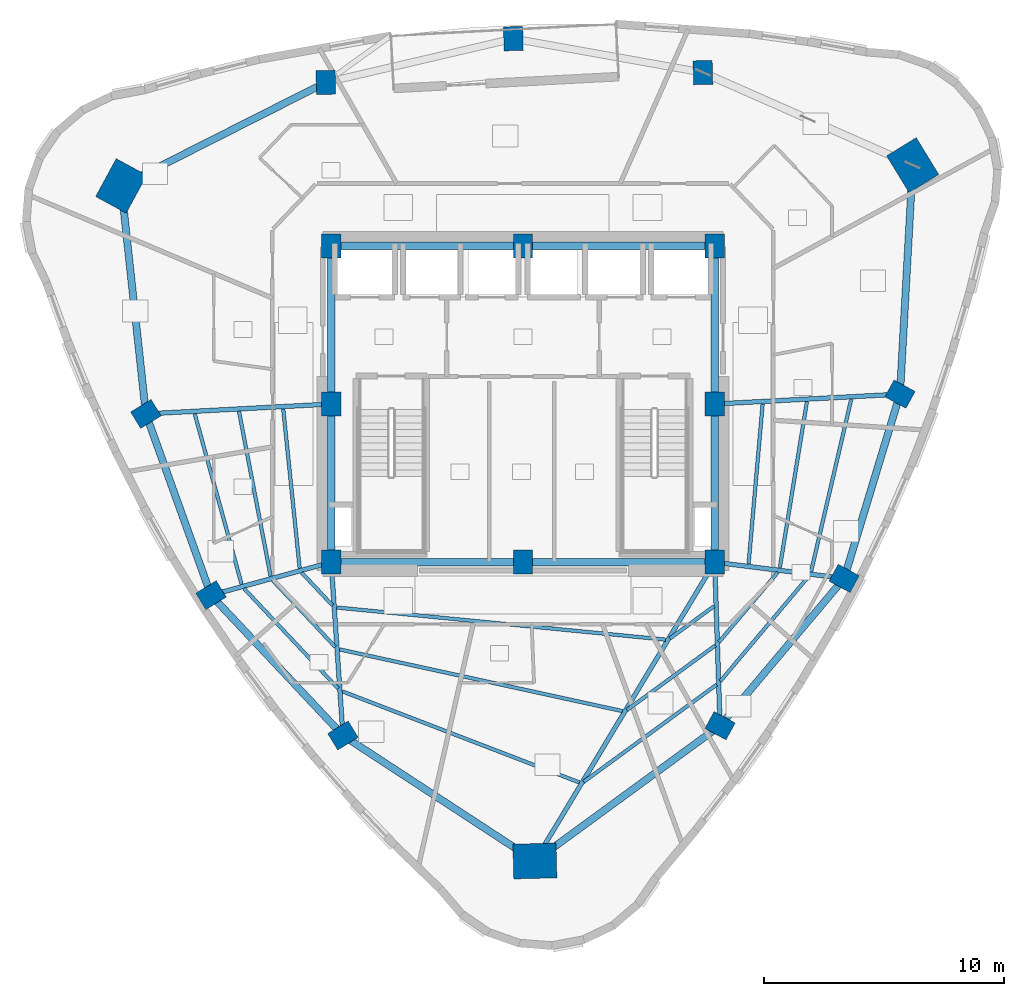
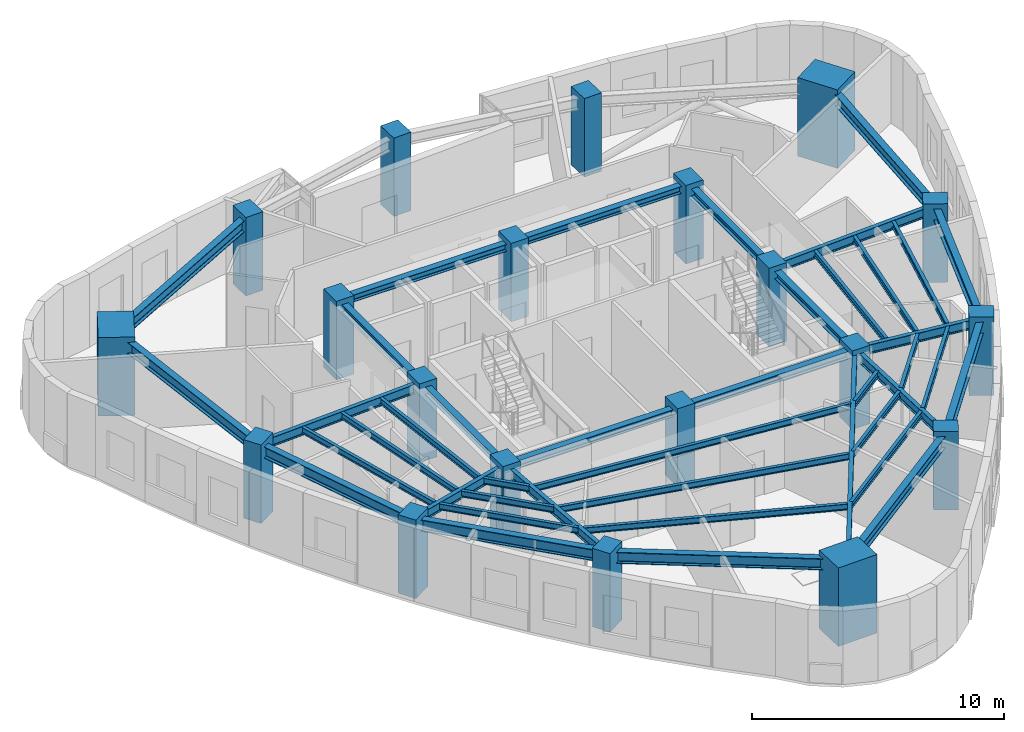
# One storey, part 1 of 12: 41 beams, 20 columns.
"""IFC4 building model written with IfcOpenShell, lengths in metres."""

import ifcopenshell
import ifcopenshell.guid

model = None  # the IFC model being written
_history = None  # IfcOwnerHistory: only IFC2X3 demands one
_inside = {}  # id of a spatial element -> (the spatial element, [elements in it])
_under = {}  # id of a project, library or spatial element -> (it, [spatial elements below it])
_declared = {}  # id of a project -> (the project, [libraries it declares])
_typed = {}  # id of a type object -> (the type object, [elements of that type])
_made_of = {}  # id of a material, layer set ... -> (it, [elements and type objects made of it])


def new_model(schema):
    """Start an empty IFC model of exactly this schema.

    Asked for "IFC4X3", IfcOpenShell would pick the latest addendum, in which some entities
    have other attributes; the version numbers below select the first issue.
    IFC2X3 requires an IfcOwnerHistory on every rooted entity: one is made here for all.
    """
    global model, _history
    if schema == "IFC4X3":
        model = ifcopenshell.file(schema_version=(4, 3, 0, 0))
    else:
        model = ifcopenshell.file(schema=schema)
    _inside.clear()
    _under.clear()
    _declared.clear()
    _typed.clear()
    _made_of.clear()
    _history = None
    if model.schema == "IFC2X3":
        org = make("IfcOrganization", Name="unknown")
        user = make(
            "IfcPersonAndOrganization",
            ThePerson=make("IfcPerson", FamilyName="unknown"),
            TheOrganization=org,
        )
        app = make(
            "IfcApplication",
            ApplicationDeveloper=org,
            Version="unknown",
            ApplicationFullName="unknown",
            ApplicationIdentifier="unknown",
        )
        _history = make(
            "IfcOwnerHistory",
            OwningUser=user,
            OwningApplication=app,
            ChangeAction="ADDED",
            CreationDate=0,
        )
    return model


def make(cls, **values):
    """One entity of the class cls with the attributes given. An attribute that is None is left unset."""
    return model.create_entity(
        cls, **{name: value for name, value in values.items() if value is not None}
    )


def rooted(cls, **values):
    """An entity with a GlobalId (a new one), such as an element, a storey or a relation."""
    return make(cls, GlobalId=ifcopenshell.guid.new(), OwnerHistory=_history, **values)


def si_unit(unit_type, name, prefix=None):
    """IfcSIUnit, for example si_unit("LENGTHUNIT", "METRE", prefix="MILLI")."""
    return make("IfcSIUnit", UnitType=unit_type, Prefix=prefix, Name=name)


def assignment(units):
    """IfcUnitAssignment: the units of a project."""
    return None if units is None else make("IfcUnitAssignment", Units=units)


def point(xyz):
    """IfcCartesianPoint."""
    return None if xyz is None else make("IfcCartesianPoint", Coordinates=xyz)


def direction(xyz):
    """IfcDirection."""
    return None if xyz is None else make("IfcDirection", DirectionRatios=xyz)


def frame(location, z_axis=None, x_axis=None):
    """IfcAxis2Placement3D, a coordinate frame: its origin and axes. An axis left out is left unset."""
    return make(
        "IfcAxis2Placement3D",
        Location=point(location),
        Axis=direction(z_axis),
        RefDirection=direction(x_axis),
    )


def frame_2d(location, x_axis=None):
    """IfcAxis2Placement2D, a coordinate frame in the plane: its origin and x axis."""
    return make(
        "IfcAxis2Placement2D", Location=point(location), RefDirection=direction(x_axis)
    )


def origin():
    """The frame at (0, 0, 0) with its axes left unset."""
    return frame((0.0, 0.0, 0.0))


def origin_2d():
    """The frame at (0, 0) in the plane with its x axis left unset."""
    return frame_2d((0.0, 0.0))


def place(relative_to, where):
    """IfcLocalPlacement: puts the frame where relative to a parent placement (None: the world)."""
    return make(
        "IfcLocalPlacement", PlacementRelTo=relative_to, RelativePlacement=where
    )


def context(
    kind, dimensions, precision=None, world=None, true_north=None, identifier=None
):
    """IfcGeometricRepresentationContext, for example the 3D "Model" context."""
    return make(
        "IfcGeometricRepresentationContext",
        ContextIdentifier=identifier,
        ContextType=kind,
        CoordinateSpaceDimension=dimensions,
        Precision=precision,
        WorldCoordinateSystem=world,
        TrueNorth=true_north,
    )


def subcontext(parent, identifier, kind, view, scale=None):
    """IfcGeometricRepresentationSubContext, for example "Body" below "Model"."""
    return make(
        "IfcGeometricRepresentationSubContext",
        ContextIdentifier=identifier,
        ContextType=kind,
        ParentContext=parent,
        TargetScale=scale,
        TargetView=view,
    )


def project(units=None, contexts=None):
    """IfcProject with its units and contexts."""
    return rooted(
        "IfcProject",
        Name="project",
        RepresentationContexts=contexts,
        UnitsInContext=assignment(units),
    )


def spatial(cls, under=None, at=None, **own):
    """A site, building, storey or space (cls), placed at a placement, below another one or the project."""
    s = rooted(cls, ObjectPlacement=at, **own)
    if under is not None:
        _under.setdefault(under.id(), (under, []))[1].append(s)
    return s


def profile(cls, at=None, kind="AREA", **sizes):
    """A parametric profile (cls). Its sizes go by their IFC names, for example OverallWidth=200.0."""
    return make(cls, ProfileType=kind, Position=at, **sizes)


def rectangle(**sizes):
    """IfcRectangleProfileDef."""
    return profile("IfcRectangleProfileDef", **sizes)


def i_section(**sizes):
    """IfcIShapeProfileDef."""
    return profile("IfcIShapeProfileDef", **sizes)


def extrude(swept, where, along, depth):
    """IfcExtrudedAreaSolid: the profile swept, set in the frame where, extruded along a direction by depth."""
    return make(
        "IfcExtrudedAreaSolid",
        SweptArea=swept,
        Position=where,
        ExtrudedDirection=direction(along),
        Depth=depth,
    )


def shape(context_of_items, identifier, shape_type, items):
    """IfcShapeRepresentation: the items that make up one representation, for example the "Body"."""
    return make(
        "IfcShapeRepresentation",
        ContextOfItems=context_of_items,
        RepresentationIdentifier=identifier,
        RepresentationType=shape_type,
        Items=items,
    )


def material(Name=None, Category=None):
    """IfcMaterial."""
    return make("IfcMaterial", Name=Name, Category=Category)


def material_profile(
    of_material, cross_section, Name=None, Category=None, Priority=None
):
    """IfcMaterialProfile: a cross section and its material."""
    return make(
        "IfcMaterialProfile",
        Name=Name,
        Material=of_material,
        Profile=cross_section,
        Priority=Priority,
        Category=Category,
    )


def profile_set(profiles, Name=None, composite=None):
    """IfcMaterialProfileSet."""
    return make(
        "IfcMaterialProfileSet",
        Name=Name,
        MaterialProfiles=profiles,
        CompositeProfile=composite,
    )


def made_of(thing, what):
    """Note that an element or type object is made of a material, layer set ...; save() writes the relation."""
    if what is not None:
        _made_of.setdefault(what.id(), (what, []))[1].append(thing)
    return thing


def type_object(cls, material=None, **own):
    """A type object (cls), such as IfcWallType, which elements share."""
    return made_of(rooted(cls, **own), material)


def element(
    cls,
    number,
    at=None,
    inside=None,
    cuts=None,
    type_object=None,
    material=None,
    context=None,
    identifier="Body",
    shape_type=None,
    held_by="IfcProductDefinitionShape",
    body=None,
    shapes=None,
    **own,
):
    """One element of the class cls, such as IfcWall. Its Tag is "e" and its number.

    at: its placement. inside: the storey or other place that contains it. cuts: it is an
    opening in that element (IfcRelVoidsElement). A single representation is given by context,
    identifier, shape_type and body (its items); several are given by shapes. held_by: the class
    of the entity that holds the representations. save() writes the other relations.
    """
    e = rooted(cls, Tag="e%d" % number, ObjectPlacement=at, **own)
    if body is not None:
        shapes = [shape(context, identifier, shape_type, body)]
    if shapes is not None:
        e.Representation = make(held_by, Representations=shapes)
    if inside is not None:
        _inside.setdefault(inside.id(), (inside, []))[1].append(e)
    if cuts is not None:
        rooted(
            "IfcRelVoidsElement", RelatingBuildingElement=cuts, RelatedOpeningElement=e
        )
    if type_object is not None:
        _typed.setdefault(type_object.id(), (type_object, []))[1].append(e)
    return made_of(e, material)


def aggregate(whole, parts):
    """IfcRelAggregates: a whole, such as a stair, and the parts it consists of."""
    return rooted("IfcRelAggregates", RelatingObject=whole, RelatedObjects=parts)


def save(model, path):
    """Write the relations noted so far, then the file.

    IfcRelAggregates (storeys below a building ...), IfcRelContainedInSpatialStructure (elements
    in a storey), IfcRelDefinesByType, IfcRelAssociatesMaterial and IfcRelDeclares: one each for
    every whole, place, type object, material and project.
    """
    for whole, parts in _under.values():
        aggregate(whole, parts)
    for where, things in _inside.values():
        rooted(
            "IfcRelContainedInSpatialStructure",
            RelatedElements=things,
            RelatingStructure=where,
        )
    for kind, things in _typed.values():
        rooted("IfcRelDefinesByType", RelatedObjects=things, RelatingType=kind)
    for what, things in _made_of.values():
        rooted("IfcRelAssociatesMaterial", RelatedObjects=things, RelatingMaterial=what)
    for by, libraries in _declared.values():
        rooted("IfcRelDeclares", RelatingContext=by, RelatedDefinitions=libraries)
    model.write(path)


model = new_model("IFC4")

# Units and contexts
model_context = context("Model", 3, precision=1e-05, world=origin(), true_north=direction((0.0, 1.0)))
body_context = subcontext(model_context, "Body", "Model", "MODEL_VIEW")
ifc_project = project(units=[si_unit("LENGTHUNIT", "METRE"), si_unit("AREAUNIT", "SQUARE_METRE"), si_unit("VOLUMEUNIT", "CUBIC_METRE"), si_unit("PLANEANGLEUNIT", "RADIAN"), si_unit("MASSUNIT", "GRAM", prefix="KILO")], contexts=[model_context])

# Site, building, storey
site_placement = place(None, origin())
site = spatial("IfcSite", under=ifc_project, at=site_placement, CompositionType="ELEMENT")
building_placement = place(site_placement, origin())
building = spatial("IfcBuilding", under=site, at=building_placement, Name="Ndelora Gate Hotel", CompositionType="ELEMENT")
storey_placement = place(building_placement, frame((0.0, 0.0, 220.75)))
storey = spatial("IfcBuildingStorey", under=building, at=storey_placement, Name="L55", CompositionType="ELEMENT", Elevation=220.75)

# Columns
ifc_material_1 = material(Name="Concrete C50/60", Category="concrete")
ifc_material_profile_1 = material_profile(ifc_material_1, rectangle(XDim=0.800048828125, YDim=1.0, at=origin_2d()), Name="RC 1000x800")
ifc_profile_set_1 = profile_set([ifc_material_profile_1], Name="Concrete C50/60")
column_type_1 = type_object("IfcColumnType", Name="COL-CC-HI", PredefinedType="COLUMN", material=ifc_profile_set_1)
for number, where, z_axis, x_axis, name in (
    (1, (-8.0, -6.60009765625, 0.0), (0.0, 0.0, 1.0), (1.0, 0.0, 0.0), "L55 Core Column CC1"),
    (2, (0.0, -6.60009765625, 0.0), (0.0, 0.0, 1.0), (1.0, 0.0, 0.0), "L55 Core Column CC2"),
    (3, (8.0, -6.60009765625, 0.0), (0.0, 0.0, 1.0), (1.0, 0.0, 0.0), "L55 Core Column CC3"),
    (4, (8.0, 0.0, 0.0), (0.0, 0.0, 1.0), (1.0, 0.0, 0.0), "L55 Core Column CC4"),
    (5, (8.0, 6.60009765625, 0.0), (0.0, 0.0, 1.0), (1.0, 0.0, 0.0), "L55 Core Column CC5"),
    (6, (0.0, 6.60009765625, 0.0), (0.0, 0.0, 1.0), (1.0, 0.0, 0.0), "L55 Core Column CC6"),
    (7, (-8.0, 6.60009765625, 0.0), (0.0, 0.0, 1.0), (1.0, 0.0, 0.0), "L55 Core Column CC7"),
    (8, (-8.0, 0.0, 0.0), (0.0, 0.0, 1.0), (1.0, 0.0, 0.0), "L55 Core Column CC8"),
):
    element("IfcColumn", number, at=place(storey_placement, frame(where, z_axis=z_axis, x_axis=x_axis)), inside=storey, type_object=column_type_1, Name=name, PredefinedType="COLUMN", context=body_context, shape_type="SweptSolid", body=[
        extrude(rectangle(XDim=0.800048828125, YDim=1.0, at=origin_2d()), origin(), (0.0, 0.0, 1.0), 3.800048828125),
    ])
ifc_material_profile_2 = material_profile(ifc_material_1, rectangle(XDim=1.449951171875, YDim=1.800048828125, at=origin_2d()), Name="RC 1800x1450")
ifc_profile_set_2 = profile_set([ifc_material_profile_2], Name="Concrete C50/60")
column_type_2 = type_object("IfcColumnType", Name="COL-MC-Z3", PredefinedType="COLUMN", material=ifc_profile_set_2)
for number, where, z_axis, x_axis, name in (
    (9, (-16.759521484375, 9.099609375, 0.0), (0.0, 0.0, 1.0), (-0.878817112662, 0.47715876026, 0.0), "L55 Corner Mega-Column R1"),
    (10, (0.499267578125, -19.064208984375, 0.0), (0.0, 0.0, 1.0), (-0.026176948308, 0.999657324976, 0.0), "L55 Corner Mega-Column R5"),
    (11, (16.26025390625, 9.96435546875, 0.0), (0.0, 0.0, 1.0), (0.852640164354, 0.522498564716, 0.0), "L55 Corner Mega-Column R9"),
):
    element("IfcColumn", number, at=place(storey_placement, frame(where, z_axis=z_axis, x_axis=x_axis)), inside=storey, type_object=column_type_2, Name=name, PredefinedType="COLUMN", context=body_context, shape_type="SweptSolid", body=[
        extrude(rectangle(XDim=1.449951171875, YDim=1.800048828125, at=origin_2d()), origin(), (0.0, 0.0, 1.0), 3.800048828125),
    ])
ifc_material_profile_3 = material_profile(ifc_material_1, rectangle(XDim=0.800048828125, YDim=1.0, at=origin_2d()), Name="RC 1000x800")
ifc_profile_set_3 = profile_set([ifc_material_profile_3], Name="Concrete C50/60")
column_type_3 = type_object("IfcColumnType", Name="COL-PT-Z3", PredefinedType="COLUMN", material=ifc_profile_set_3)
for number, where, z_axis, x_axis, name in (
    (12, (-15.72998046875, -0.411865234375, 0.0), (0.0, 0.0, 1.0), (-0.522498564716, 0.852640164354, 0.0), "L55 Perimeter Tube Column R2"),
    (13, (-13.011962890625, -7.973876953125, 0.0), (0.0, 0.0, 1.0), (-0.522498564716, 0.852640164354, 0.0), "L55 Perimeter Tube Column R3"),
    (14, (-7.50830078125, -13.828369140625, 0.0), (0.0, 0.0, 1.0), (-0.522498564716, 0.852640164354, 0.0), "L55 Perimeter Tube Column R4"),
    (15, (8.223876953125, -13.419921875, 0.0), (0.0, 0.0, 1.0), (0.47715876026, 0.878817112662, 0.0), "L55 Perimeter Tube Column R6"),
    (16, (13.400390625, -7.275634765625, 0.0), (0.0, 0.0, 1.0), (0.47715876026, 0.878817112662, 0.0), "L55 Perimeter Tube Column R7"),
    (17, (15.72998046875, 0.411865234375, 0.0), (0.0, 0.0, 1.0), (0.47715876026, 0.878817112662, 0.0), "L55 Perimeter Tube Column R8"),
    (18, (7.50830078125, 13.828369140625, 0.0), (0.0, 0.0, 1.0), (0.999657324976, 0.026176948308, 0.0), "L55 Perimeter Tube Column R10"),
    (19, (-0.399169921875, 15.242919921875, 0.0), (0.0, 0.0, 1.0), (0.999657324976, 0.026176948308, 0.0), "L55 Perimeter Tube Column R11"),
    (20, (-8.2216796875, 13.41650390625, 0.0), (0.0, 0.0, 1.0), (0.999657324976, 0.026176948308, 0.0), "L55 Perimeter Tube Column R12"),
):
    element("IfcColumn", number, at=place(storey_placement, frame(where, z_axis=z_axis, x_axis=x_axis)), inside=storey, type_object=column_type_3, Name=name, PredefinedType="COLUMN", context=body_context, shape_type="SweptSolid", body=[
        extrude(rectangle(XDim=0.800048828125, YDim=1.0, at=origin_2d()), origin(), (0.0, 0.0, 1.0), 3.800048828125),
    ])

# Beams
ifc_material_2 = material(Name="Steel S355", Category="steel")
ifc_material_profile_4 = material_profile(ifc_material_2, i_section(OverallWidth=0.300048828125, OverallDepth=0.35009765625, WebThickness=0.010009765625, FlangeThickness=0.017578125, FilletRadius=0.027099609375, at=origin_2d()), Name="HEA 360")
ifc_profile_set_4 = profile_set([ifc_material_profile_4], Name="Steel S355")
beam_type_1 = type_object("IfcBeamType", Name="BM-CORE-350", PredefinedType="BEAM", material=ifc_profile_set_4)
for number, where, z_axis, x_axis, name in (
    (21, (-8.0, 6.60009765625, 3.375), (1.0, 0.0, 0.0), (0.0, 1.0, 0.0), "L55 Core Tie Girder CC7-CC6"),
    (22, (0.0, 6.60009765625, 3.375), (1.0, 0.0, 0.0), (0.0, 1.0, 0.0), "L55 Core Tie Girder CC6-CC5"),
):
    element("IfcBeam", number, at=place(storey_placement, frame(where, z_axis=z_axis, x_axis=x_axis)), inside=storey, type_object=beam_type_1, Name=name, PredefinedType="BEAM", context=body_context, shape_type="SweptSolid", body=[
        extrude(i_section(OverallWidth=0.300048828125, OverallDepth=0.35009765625, WebThickness=0.010009765625, FlangeThickness=0.017578125, FilletRadius=0.027099609375, at=origin_2d()), origin(), (0.0, 0.0, 1.0), 8.0),
    ])
for number, where, z_axis, x_axis, name in (
    (23, (-8.0, -6.60009765625, 3.375), (0.0, 1.0, 0.0), (-1.0, 0.0, 0.0), "L55 Core Tie Girder CC1-CC8"),
    (24, (-8.0, 0.0, 3.375), (0.0, 1.0, 0.0), (-1.0, 0.0, 0.0), "L55 Core Tie Girder CC8-CC7"),
    (25, (8.0, -6.60009765625, 3.375), (0.0, 1.0, 0.0), (-1.0, 0.0, 0.0), "L55 Core Tie Girder CC3-CC4"),
    (26, (8.0, 0.0, 3.375), (0.0, 1.0, 0.0), (-1.0, 0.0, 0.0), "L55 Core Tie Girder CC4-CC5"),
):
    element("IfcBeam", number, at=place(storey_placement, frame(where, z_axis=z_axis, x_axis=x_axis)), inside=storey, type_object=beam_type_1, Name=name, PredefinedType="BEAM", context=body_context, shape_type="SweptSolid", body=[
        extrude(i_section(OverallWidth=0.300048828125, OverallDepth=0.35009765625, WebThickness=0.010009765625, FlangeThickness=0.017578125, FilletRadius=0.027099609375, at=origin_2d()), origin(), (0.0, 0.0, 1.0), 6.60009765625),
    ])
for number, where, z_axis, x_axis, name in (
    (27, (-8.0, -6.60009765625, 3.375), (1.0, 0.0, 0.0), (0.0, 1.0, 0.0), "L55 Core Tie Girder CC1-CC2"),
    (28, (0.0, -6.60009765625, 3.375), (1.0, 0.0, 0.0), (0.0, 1.0, 0.0), "L55 Core Tie Girder CC2-CC3"),
):
    element("IfcBeam", number, at=place(storey_placement, frame(where, z_axis=z_axis, x_axis=x_axis)), inside=storey, type_object=beam_type_1, Name=name, PredefinedType="BEAM", context=body_context, shape_type="SweptSolid", body=[
        extrude(i_section(OverallWidth=0.300048828125, OverallDepth=0.35009765625, WebThickness=0.010009765625, FlangeThickness=0.017578125, FilletRadius=0.027099609375, at=origin_2d()), origin(), (0.0, 0.0, 1.0), 8.0),
    ])
ifc_material_profile_5 = material_profile(ifc_material_2, i_section(OverallWidth=0.14990234375, OverallDepth=0.300048828125, WebThickness=0.007080078125, FlangeThickness=0.0107421875, FilletRadius=0.014892578125, at=origin_2d()), Name="IPE 300")
ifc_profile_set_5 = profile_set([ifc_material_profile_5], Name="Steel S355")
beam_type_2 = type_object("IfcBeamType", Name="BM-JST-300", PredefinedType="JOIST", material=ifc_profile_set_5)
beam_1_placement = place(storey_placement, frame((-9.9990234375, -0.21142578125, 3.39990234375), z_axis=(0.10260596827, -0.994722079415, 0.0), x_axis=(0.994722079415, 0.10260596827, 0.0)))
element("IfcBeam", 29, at=beam_1_placement, inside=storey, type_object=beam_type_2, Name="L55 Secondary Composite Floor Joist IN-2", PredefinedType="JOIST", context=body_context, shape_type="SweptSolid", body=[
    extrude(i_section(OverallWidth=0.14990234375, OverallDepth=0.300048828125, WebThickness=0.007080078125, FlangeThickness=0.0107421875, FilletRadius=0.014892578125, at=origin_2d()), origin(), (0.0, 0.0, 1.0), 6.676513671875),
])
beam_2_placement = place(storey_placement, frame((-11.84521484375, -0.30908203125, 3.39990234375), z_axis=(0.188470955684, -0.982078764083, 0.0), x_axis=(0.982078764083, 0.188470955684, 0.0)))
element("IfcBeam", 30, at=beam_2_placement, inside=storey, type_object=beam_type_2, Name="L55 Secondary Composite Floor Joist MID-2", PredefinedType="JOIST", context=body_context, shape_type="SweptSolid", body=[
    extrude(i_section(OverallWidth=0.14990234375, OverallDepth=0.300048828125, WebThickness=0.007080078125, FlangeThickness=0.0107421875, FilletRadius=0.014892578125, at=origin_2d()), origin(), (0.0, 0.0, 1.0), 7.000244140625),
])
beam_3_placement = place(storey_placement, frame((-13.6923828125, -0.406005859375, 3.39990234375), z_axis=(0.2652180483, -0.964188460238, 0.0), x_axis=(0.964188460238, 0.2652180483, 0.0)))
element("IfcBeam", 31, at=beam_3_placement, inside=storey, type_object=beam_type_2, Name="L55 Secondary Composite Floor Joist OUT-2", PredefinedType="JOIST", context=body_context, shape_type="SweptSolid", body=[
    extrude(i_section(OverallWidth=0.14990234375, OverallDepth=0.300048828125, WebThickness=0.007080078125, FlangeThickness=0.0107421875, FilletRadius=0.014892578125, at=origin_2d()), origin(), (0.0, 0.0, 1.0), 7.37353515625),
])
beam_4_placement = place(storey_placement, frame((-9.231201171875, -7.03369140625, 3.39990234375), z_axis=(0.684943115963, -0.728596546722, 0.0), x_axis=(0.728596546722, 0.684943115963, 0.0)))
element("IfcBeam", 32, at=beam_4_placement, inside=storey, type_object=beam_type_2, Name="L55 Secondary Composite Floor Joist IN-3", PredefinedType="JOIST", context=body_context, shape_type="SweptSolid", body=[
    extrude(i_section(OverallWidth=0.14990234375, OverallDepth=0.300048828125, WebThickness=0.007080078125, FlangeThickness=0.0107421875, FilletRadius=0.014892578125, at=origin_2d()), origin(), (0.0, 0.0, 1.0), 1.879150390625),
])
beam_5_placement = place(storey_placement, frame((-10.43408203125, -7.36328125, 3.39990234375), z_axis=(0.684938600536, -0.728600791584, 0.0), x_axis=(0.728600791584, 0.684938600536, 0.0)))
element("IfcBeam", 33, at=beam_5_placement, inside=storey, type_object=beam_type_2, Name="L55 Secondary Composite Floor Joist MID-3", PredefinedType="JOIST", context=body_context, shape_type="SweptSolid", body=[
    extrude(i_section(OverallWidth=0.14990234375, OverallDepth=0.300048828125, WebThickness=0.007080078125, FlangeThickness=0.0107421875, FilletRadius=0.014892578125, at=origin_2d()), origin(), (0.0, 0.0, 1.0), 3.807861328125),
])
beam_6_placement = place(storey_placement, frame((-11.636962890625, -7.693115234375, 3.39990234375), z_axis=(0.68493576734, -0.728603454986, 0.0), x_axis=(0.728603454986, 0.68493576734, 0.0)))
element("IfcBeam", 34, at=beam_6_placement, inside=storey, type_object=beam_type_2, Name="L55 Secondary Composite Floor Joist OUT-3", PredefinedType="JOIST", context=body_context, shape_type="SweptSolid", body=[
    extrude(i_section(OverallWidth=0.14990234375, OverallDepth=0.300048828125, WebThickness=0.007080078125, FlangeThickness=0.0107421875, FilletRadius=0.014892578125, at=origin_2d()), origin(), (0.0, 0.0, 1.0), 5.736328125),
])
beam_7_placement = place(storey_placement, frame((-7.767578125, -8.489501953125, 3.39990234375), z_axis=(0.995253727902, -0.097314012848, 0.0), x_axis=(0.097314012848, 0.995253727902, 0.0)))
element("IfcBeam", 35, at=beam_7_placement, inside=storey, type_object=beam_type_2, Name="L55 Secondary Composite Floor Joist IN-4", PredefinedType="JOIST", context=body_context, shape_type="SweptSolid", body=[
    extrude(i_section(OverallWidth=0.14990234375, OverallDepth=0.300048828125, WebThickness=0.007080078125, FlangeThickness=0.0107421875, FilletRadius=0.014892578125, at=origin_2d()), origin(), (0.0, 0.0, 1.0), 13.7783203125),
])
beam_8_placement = place(storey_placement, frame((-7.651611328125, -10.236572265625, 3.39990234375), z_axis=(0.977032906758, -0.213088477191, 0.0), x_axis=(0.213088477191, 0.977032906758, 0.0)))
element("IfcBeam", 36, at=beam_8_placement, inside=storey, type_object=beam_type_2, Name="L55 Secondary Composite Floor Joist MID-4", PredefinedType="JOIST", context=body_context, shape_type="SweptSolid", body=[
    extrude(i_section(OverallWidth=0.14990234375, OverallDepth=0.300048828125, WebThickness=0.007080078125, FlangeThickness=0.0107421875, FilletRadius=0.014892578125, at=origin_2d()), origin(), (0.0, 0.0, 1.0), 12.075927734375),
])
beam_9_placement = place(storey_placement, frame((-7.5380859375, -11.98681640625, 3.39990234375), z_axis=(0.933489266504, -0.358605339227, 0.0), x_axis=(0.358605339227, 0.933489266504, 0.0)))
element("IfcBeam", 37, at=beam_9_placement, inside=storey, type_object=beam_type_2, Name="L55 Secondary Composite Floor Joist OUT-4", PredefinedType="JOIST", context=body_context, shape_type="SweptSolid", body=[
    extrude(i_section(OverallWidth=0.14990234375, OverallDepth=0.300048828125, WebThickness=0.007080078125, FlangeThickness=0.0107421875, FilletRadius=0.014892578125, at=origin_2d()), origin(), (0.0, 0.0, 1.0), 10.593994140625),
])
beam_10_placement = place(storey_placement, frame((6.134521484375, -9.77880859375, 3.39990234375), z_axis=(0.80739897839, 0.590005838696, 0.0), x_axis=(-0.590005838696, 0.80739897839, 0.0)))
element("IfcBeam", 38, at=beam_10_placement, inside=storey, type_object=beam_type_2, Name="L55 Secondary Composite Floor Joist IN-5", PredefinedType="JOIST", context=body_context, shape_type="SweptSolid", body=[
    extrude(i_section(OverallWidth=0.14990234375, OverallDepth=0.300048828125, WebThickness=0.007080078125, FlangeThickness=0.0107421875, FilletRadius=0.014892578125, at=origin_2d()), origin(), (0.0, 0.0, 1.0), 2.277587890625),
])
beam_11_placement = place(storey_placement, frame((4.33447265625, -12.77001953125, 3.39990234375), z_axis=(0.807439047151, 0.589951002318, 0.0), x_axis=(-0.589951002318, 0.807439047151, 0.0)))
element("IfcBeam", 39, at=beam_11_placement, inside=storey, type_object=beam_type_2, Name="L55 Secondary Composite Floor Joist MID-5", PredefinedType="JOIST", context=body_context, shape_type="SweptSolid", body=[
    extrude(i_section(OverallWidth=0.14990234375, OverallDepth=0.300048828125, WebThickness=0.007080078125, FlangeThickness=0.0107421875, FilletRadius=0.014892578125, at=origin_2d()), origin(), (0.0, 0.0, 1.0), 4.5732421875),
])
beam_12_placement = place(storey_placement, frame((2.5341796875, -15.761474609375, 3.39990234375), z_axis=(0.807430841486, 0.589962232874, 0.0), x_axis=(-0.589962232874, 0.807430841486, 0.0)))
element("IfcBeam", 40, at=beam_12_placement, inside=storey, type_object=beam_type_2, Name="L55 Secondary Composite Floor Joist OUT-5", PredefinedType="JOIST", context=body_context, shape_type="SweptSolid", body=[
    extrude(i_section(OverallWidth=0.14990234375, OverallDepth=0.300048828125, WebThickness=0.007080078125, FlangeThickness=0.0107421875, FilletRadius=0.014892578125, at=origin_2d()), origin(), (0.0, 0.0, 1.0), 6.869384765625),
])
beam_13_placement = place(storey_placement, frame((8.1796875, -9.9296875, 3.39990234375), z_axis=(0.644319387893, 0.764756514444, 0.0), x_axis=(-0.764756514444, 0.644319387893, 0.0)))
element("IfcBeam", 41, at=beam_13_placement, inside=storey, type_object=beam_type_2, Name="L55 Secondary Composite Floor Joist MID-6", PredefinedType="JOIST", context=body_context, shape_type="SweptSolid", body=[
    extrude(i_section(OverallWidth=0.14990234375, OverallDepth=0.300048828125, WebThickness=0.007080078125, FlangeThickness=0.0107421875, FilletRadius=0.014892578125, at=origin_2d()), origin(), (0.0, 0.0, 1.0), 3.806884765625),
])
beam_14_placement = place(storey_placement, frame((8.2333984375, -11.56640625, 3.39990234375), z_axis=(0.644324492463, 0.764752213735, 0.0), x_axis=(-0.764752213735, 0.644324492463, 0.0)))
element("IfcBeam", 42, at=beam_14_placement, inside=storey, type_object=beam_type_2, Name="L55 Secondary Composite Floor Joist OUT-6", PredefinedType="JOIST", context=body_context, shape_type="SweptSolid", body=[
    extrude(i_section(OverallWidth=0.14990234375, OverallDepth=0.300048828125, WebThickness=0.007080078125, FlangeThickness=0.0107421875, FilletRadius=0.014892578125, at=origin_2d()), origin(), (0.0, 0.0, 1.0), 5.735107421875),
])
beam_15_placement = place(storey_placement, frame((9.413330078125, -6.671142578125, 3.39990234375), z_axis=(0.087643872384, 0.996151871771, 0.0), x_axis=(-0.996151871771, 0.087643872384, 0.0)))
element("IfcBeam", 43, at=beam_15_placement, inside=storey, type_object=beam_type_2, Name="L55 Secondary Composite Floor Joist IN-7", PredefinedType="JOIST", context=body_context, shape_type="SweptSolid", body=[
    extrude(i_section(OverallWidth=0.14990234375, OverallDepth=0.300048828125, WebThickness=0.007080078125, FlangeThickness=0.0107421875, FilletRadius=0.014892578125, at=origin_2d()), origin(), (0.0, 0.0, 1.0), 6.699462890625),
])
beam_16_placement = place(storey_placement, frame((10.717041015625, -6.834228515625, 3.39990234375), z_axis=(0.160939239626, 0.986964316046, 0.0), x_axis=(-0.986964316046, 0.160939239626, 0.0)))
element("IfcBeam", 44, at=beam_16_placement, inside=storey, type_object=beam_type_2, Name="L55 Secondary Composite Floor Joist MID-7", PredefinedType="JOIST", context=body_context, shape_type="SweptSolid", body=[
    extrude(i_section(OverallWidth=0.14990234375, OverallDepth=0.300048828125, WebThickness=0.007080078125, FlangeThickness=0.0107421875, FilletRadius=0.014892578125, at=origin_2d()), origin(), (0.0, 0.0, 1.0), 7.028076171875),
])
beam_17_placement = place(storey_placement, frame((12.02001953125, -6.997802734375, 3.39990234375), z_axis=(0.22674518397, 0.973954116756, 0.0), x_axis=(-0.973954116756, 0.22674518397, 0.0)))
element("IfcBeam", 45, at=beam_17_placement, inside=storey, type_object=beam_type_2, Name="L55 Secondary Composite Floor Joist OUT-7", PredefinedType="JOIST", context=body_context, shape_type="SweptSolid", body=[
    extrude(i_section(OverallWidth=0.14990234375, OverallDepth=0.300048828125, WebThickness=0.007080078125, FlangeThickness=0.0107421875, FilletRadius=0.014892578125, at=origin_2d()), origin(), (0.0, 0.0, 1.0), 7.392822265625),
])
ifc_material_profile_6 = material_profile(ifc_material_2, i_section(OverallWidth=0.18994140625, OverallDepth=0.449951171875, WebThickness=0.009521484375, FlangeThickness=0.0146484375, FilletRadius=0.02099609375, at=origin_2d()), Name="IPE 450")
ifc_profile_set_6 = profile_set([ifc_material_profile_6], Name="Steel S355")
beam_type_3 = type_object("IfcBeamType", Name="BM-RAD-450", PredefinedType="BEAM", material=ifc_profile_set_6)
beam_18_placement = place(storey_placement, frame((-8.0, 0.0, 3.324951171875), z_axis=(-0.998583554121, -0.053206065814, 0.0), x_axis=(0.053206065814, -0.998583554121, 0.0)))
element("IfcBeam", 46, at=beam_18_placement, inside=storey, type_object=beam_type_3, Name="L55 Radial Floor Girder 2", PredefinedType="BEAM", context=body_context, shape_type="SweptSolid", body=[
    extrude(i_section(OverallWidth=0.18994140625, OverallDepth=0.449951171875, WebThickness=0.009521484375, FlangeThickness=0.0146484375, FilletRadius=0.02099609375, at=origin_2d()), origin(), (0.0, 0.0, 1.0), 7.740966796875),
])
beam_19_placement = place(storey_placement, frame((-8.0, -6.60009765625, 3.324951171875), z_axis=(-0.96442695542, -0.264349480157, 0.0), x_axis=(0.264349480157, -0.96442695542, 0.0)))
element("IfcBeam", 47, at=beam_19_placement, inside=storey, type_object=beam_type_3, Name="L55 Radial Floor Girder 3", PredefinedType="BEAM", context=body_context, shape_type="SweptSolid", body=[
    extrude(i_section(OverallWidth=0.18994140625, OverallDepth=0.449951171875, WebThickness=0.009521484375, FlangeThickness=0.0146484375, FilletRadius=0.02099609375, at=origin_2d()), origin(), (0.0, 0.0, 1.0), 5.19677734375),
])
beam_20_placement = place(storey_placement, frame((-8.0, -6.60009765625, 3.324951171875), z_axis=(0.067867612113, -0.997694335569, 0.0), x_axis=(0.997694335569, 0.067867612113, 0.0)))
element("IfcBeam", 48, at=beam_20_placement, inside=storey, type_object=beam_type_3, Name="L55 Radial Floor Girder 4", PredefinedType="BEAM", context=body_context, shape_type="SweptSolid", body=[
    extrude(i_section(OverallWidth=0.18994140625, OverallDepth=0.449951171875, WebThickness=0.009521484375, FlangeThickness=0.0146484375, FilletRadius=0.02099609375, at=origin_2d()), origin(), (0.0, 0.0, 1.0), 7.244873046875),
])
beam_21_placement = place(storey_placement, frame((8.0, -6.60009765625, 3.324951171875), z_axis=(-0.515620753203, -0.856816922607, 0.0), x_axis=(0.856816922607, -0.515620753203, 0.0)))
element("IfcBeam", 49, at=beam_21_placement, inside=storey, type_object=beam_type_3, Name="L55 Radial Floor Girder 5", PredefinedType="BEAM", context=body_context, shape_type="SweptSolid", body=[
    extrude(i_section(OverallWidth=0.18994140625, OverallDepth=0.449951171875, WebThickness=0.009521484375, FlangeThickness=0.0146484375, FilletRadius=0.02099609375, at=origin_2d()), origin(), (0.0, 0.0, 1.0), 14.546875),
])
beam_22_placement = place(storey_placement, frame((8.0, -6.60009765625, 3.324951171875), z_axis=(0.032809705109, -0.999461616697, 0.0), x_axis=(0.999461616697, 0.032809705109, 0.0)))
element("IfcBeam", 50, at=beam_22_placement, inside=storey, type_object=beam_type_3, Name="L55 Radial Floor Girder 6", PredefinedType="BEAM", context=body_context, shape_type="SweptSolid", body=[
    extrude(i_section(OverallWidth=0.18994140625, OverallDepth=0.449951171875, WebThickness=0.009521484375, FlangeThickness=0.0146484375, FilletRadius=0.02099609375, at=origin_2d()), origin(), (0.0, 0.0, 1.0), 6.823486328125),
])
beam_23_placement = place(storey_placement, frame((8.0, -6.60009765625, 3.324951171875), z_axis=(0.992266830725, -0.124123070552, 0.0), x_axis=(0.124123070552, 0.992266830725, 0.0)))
element("IfcBeam", 51, at=beam_23_placement, inside=storey, type_object=beam_type_3, Name="L55 Radial Floor Girder 7", PredefinedType="BEAM", context=body_context, shape_type="SweptSolid", body=[
    extrude(i_section(OverallWidth=0.18994140625, OverallDepth=0.449951171875, WebThickness=0.009521484375, FlangeThickness=0.0146484375, FilletRadius=0.02099609375, at=origin_2d()), origin(), (0.0, 0.0, 1.0), 5.4423828125),
])
beam_24_placement = place(storey_placement, frame((8.0, 0.0, 3.324951171875), z_axis=(0.998583554121, 0.053206065814, 0.0), x_axis=(-0.053206065814, 0.998583554121, 0.0)))
element("IfcBeam", 52, at=beam_24_placement, inside=storey, type_object=beam_type_3, Name="L55 Radial Floor Girder 8", PredefinedType="BEAM", context=body_context, shape_type="SweptSolid", body=[
    extrude(i_section(OverallWidth=0.18994140625, OverallDepth=0.449951171875, WebThickness=0.009521484375, FlangeThickness=0.0146484375, FilletRadius=0.02099609375, at=origin_2d()), origin(), (0.0, 0.0, 1.0), 7.740966796875),
])
ifc_material_profile_7 = material_profile(ifc_material_2, i_section(OverallWidth=0.300048828125, OverallDepth=0.550048828125, WebThickness=0.014892578125, FlangeThickness=0.029052734375, FilletRadius=0.027099609375, at=origin_2d()), Name="HEB 550")
ifc_profile_set_7 = profile_set([ifc_material_profile_7], Name="Steel S355")
beam_type_4 = type_object("IfcBeamType", Name="BM-RING-550", PredefinedType="SPANDREL", material=ifc_profile_set_7)
beam_25_placement = place(storey_placement, frame((-16.759521484375, 9.099609375, 3.27490234375), z_axis=(0.107613416645, -0.994192814578, 0.0), x_axis=(0.994192814578, 0.107613416645, 0.0)))
element("IfcBeam", 53, at=beam_25_placement, inside=storey, type_object=beam_type_4, Name="L55 Perimeter Spandrel Girder 1", PredefinedType="SPANDREL", context=body_context, shape_type="SweptSolid", body=[
    extrude(i_section(OverallWidth=0.300048828125, OverallDepth=0.550048828125, WebThickness=0.014892578125, FlangeThickness=0.029052734375, FilletRadius=0.027099609375, at=origin_2d()), origin(), (0.0, 0.0, 1.0), 9.567138671875),
])
beam_26_placement = place(storey_placement, frame((-15.72998046875, -0.411865234375, 3.27490234375), z_axis=(0.338244972382, -0.941058095262, 0.0), x_axis=(0.941058095262, 0.338244972382, 0.0)))
element("IfcBeam", 54, at=beam_26_placement, inside=storey, type_object=beam_type_4, Name="L55 Perimeter Spandrel Girder 2", PredefinedType="SPANDREL", context=body_context, shape_type="SweptSolid", body=[
    extrude(i_section(OverallWidth=0.300048828125, OverallDepth=0.550048828125, WebThickness=0.014892578125, FlangeThickness=0.029052734375, FilletRadius=0.027099609375, at=origin_2d()), origin(), (0.0, 0.0, 1.0), 8.03564453125),
])
beam_27_placement = place(storey_placement, frame((-13.011962890625, -7.973876953125, 3.27490234375), z_axis=(0.684939043371, -0.728600375285, 0.0), x_axis=(0.728600375285, 0.684939043371, 0.0)))
element("IfcBeam", 55, at=beam_27_placement, inside=storey, type_object=beam_type_4, Name="L55 Perimeter Spandrel Girder 3", PredefinedType="SPANDREL", context=body_context, shape_type="SweptSolid", body=[
    extrude(i_section(OverallWidth=0.300048828125, OverallDepth=0.550048828125, WebThickness=0.014892578125, FlangeThickness=0.029052734375, FilletRadius=0.027099609375, at=origin_2d()), origin(), (0.0, 0.0, 1.0), 8.03515625),
])
beam_28_placement = place(storey_placement, frame((-7.50830078125, -13.828369140625, 3.27490234375), z_axis=(0.836963769915, -0.547258300851, 0.0), x_axis=(0.547258300851, 0.836963769915, 0.0)))
element("IfcBeam", 56, at=beam_28_placement, inside=storey, type_object=beam_type_4, Name="L55 Perimeter Spandrel Girder 4", PredefinedType="SPANDREL", context=body_context, shape_type="SweptSolid", body=[
    extrude(i_section(OverallWidth=0.300048828125, OverallDepth=0.550048828125, WebThickness=0.014892578125, FlangeThickness=0.029052734375, FilletRadius=0.027099609375, at=origin_2d()), origin(), (0.0, 0.0, 1.0), 9.5673828125),
])
beam_29_placement = place(storey_placement, frame((0.499267578125, -19.064208984375, 3.27490234375), z_axis=(0.807421980226, 0.58997436033, 0.0), x_axis=(-0.58997436033, 0.807421980226, 0.0)))
element("IfcBeam", 57, at=beam_29_placement, inside=storey, type_object=beam_type_4, Name="L55 Perimeter Spandrel Girder 5", PredefinedType="SPANDREL", context=body_context, shape_type="SweptSolid", body=[
    extrude(i_section(OverallWidth=0.300048828125, OverallDepth=0.550048828125, WebThickness=0.014892578125, FlangeThickness=0.029052734375, FilletRadius=0.027099609375, at=origin_2d()), origin(), (0.0, 0.0, 1.0), 9.56689453125),
])
beam_30_placement = place(storey_placement, frame((8.223876953125, -13.419921875, 3.27490234375), z_axis=(0.644308845181, 0.764765396721, 0.0), x_axis=(-0.764765396721, 0.644308845181, 0.0)))
element("IfcBeam", 58, at=beam_30_placement, inside=storey, type_object=beam_type_4, Name="L55 Perimeter Spandrel Girder 6", PredefinedType="SPANDREL", context=body_context, shape_type="SweptSolid", body=[
    extrude(i_section(OverallWidth=0.300048828125, OverallDepth=0.550048828125, WebThickness=0.014892578125, FlangeThickness=0.029052734375, FilletRadius=0.027099609375, at=origin_2d()), origin(), (0.0, 0.0, 1.0), 8.0341796875),
])
beam_31_placement = place(storey_placement, frame((13.400390625, -7.275634765625, 3.27490234375), z_axis=(0.290012456561, 0.957022870698, 0.0), x_axis=(-0.957022870698, 0.290012456561, 0.0)))
element("IfcBeam", 59, at=beam_31_placement, inside=storey, type_object=beam_type_4, Name="L55 Perimeter Spandrel Girder 7", PredefinedType="SPANDREL", context=body_context, shape_type="SweptSolid", body=[
    extrude(i_section(OverallWidth=0.300048828125, OverallDepth=0.550048828125, WebThickness=0.014892578125, FlangeThickness=0.029052734375, FilletRadius=0.027099609375, at=origin_2d()), origin(), (0.0, 0.0, 1.0), 8.03271484375),
])
for number, where, z_axis, x_axis, name in (
    (60, (15.72998046875, 0.411865234375, 3.27490234375), (0.055426206248, 0.998462786318, 0.0), (-0.998462786318, 0.055426206248, 0.0), "L55 Perimeter Spandrel Girder 8"),
    (61, (-8.2216796875, 13.41650390625, 3.27490234375), (-0.89241242978, -0.451220628045, 0.0), (0.451220628045, -0.89241242978, 0.0), "L55 Perimeter Spandrel Girder 12"),
):
    element("IfcBeam", number, at=place(storey_placement, frame(where, z_axis=z_axis, x_axis=x_axis)), inside=storey, type_object=beam_type_4, Name=name, PredefinedType="SPANDREL", context=body_context, shape_type="SweptSolid", body=[
        extrude(i_section(OverallWidth=0.300048828125, OverallDepth=0.550048828125, WebThickness=0.014892578125, FlangeThickness=0.029052734375, FilletRadius=0.027099609375, at=origin_2d()), origin(), (0.0, 0.0, 1.0), 9.567138671875),
    ])

save(model, "model.ifc")
